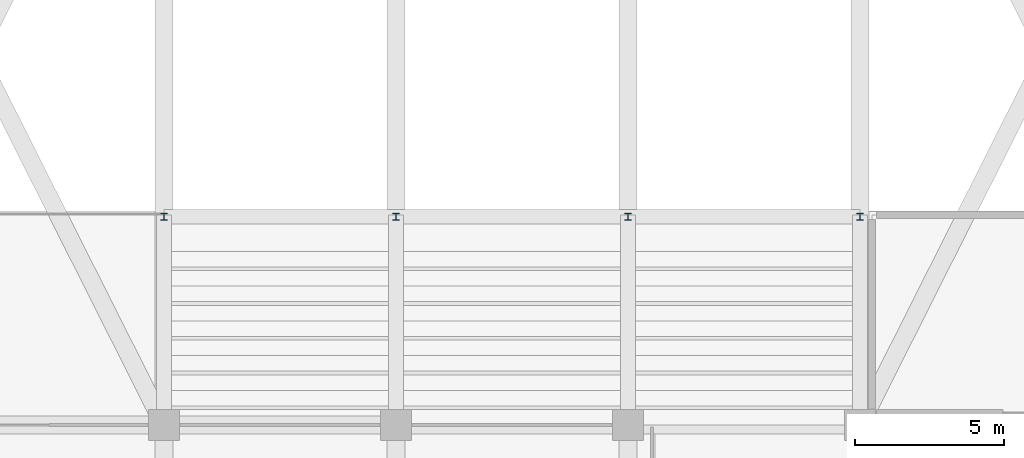
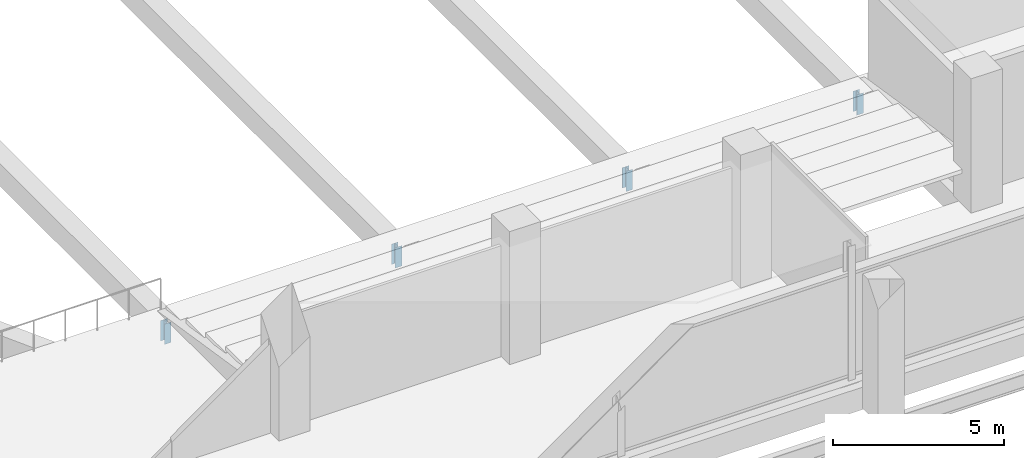
# One storey, part 58 of 100: 4 members.
"""IFC4 building model written with IfcOpenShell, lengths in metres."""

from ifc_helpers import new_model, si_unit, derived_unit, direction, frame, origin, origin_2d, place, context, subcontext, project, spatial, i_section, extrude, material, material_profile, profile_set, type_object, element, save


model = new_model("IFC4")

# Units and contexts
model_context = context("Model", 3, precision=1e-05, world=origin(), true_north=direction((0.0, 1.0)))
body_context = subcontext(model_context, "Body", "Model", "MODEL_VIEW")
ifc_project = project(units=[si_unit("LENGTHUNIT", "METRE"), si_unit("AREAUNIT", "SQUARE_METRE"), si_unit("VOLUMEUNIT", "CUBIC_METRE"), si_unit("PLANEANGLEUNIT", "RADIAN"), si_unit("MASSUNIT", "GRAM", prefix="KILO"), derived_unit("THERMALTRANSMITTANCEUNIT", [(si_unit("POWERUNIT", "WATT"), 1), (si_unit("LENGTHUNIT", "METRE"), -2), (si_unit("THERMODYNAMICTEMPERATUREUNIT", "KELVIN"), -1)])], contexts=[model_context])

# Site, building, storey
site_placement = place(None, origin())
site = spatial("IfcSite", under=ifc_project, at=site_placement, CompositionType="ELEMENT")
building_placement = place(site_placement, origin())
building = spatial("IfcBuilding", under=site, at=building_placement, Name="Nallur Shell Playhouse", CompositionType="ELEMENT")
storey_placement = place(building_placement, frame((0.0, 0.0, 10.199951171875)))
storey = spatial("IfcBuildingStorey", under=building, at=storey_placement, Name="L03", CompositionType="ELEMENT", Elevation=10.199951171875)

# Members
ifc_material = material(Name="Steel E350", Category="steel")
ifc_material_profile = material_profile(ifc_material, i_section(OverallWidth=0.22509765625, OverallDepth=0.22509765625, WebThickness=0.008544921875, FlangeThickness=0.009033203125, FilletRadius=0.010009765625, at=origin_2d()), Name="ISHB 225")
ifc_profile_set = profile_set([ifc_material_profile], Name="Steel E350")
member_type = type_object("IfcMemberType", Name="MB-TR-POST", PredefinedType="POST", material=ifc_profile_set)
for number, where, z_axis, x_axis, name in (
    (1, (79.60009765625, 23.0, -1.139892578125), (0.0, 0.0, 1.0), (1.0, 0.0, 0.0), "Auditorium raker front post DRESS 1"),
    (2, (87.39990234375, 23.0, -1.139892578125), (0.0, 0.0, 1.0), (1.0, 0.0, 0.0), "Auditorium raker front post DRESS 2"),
    (3, (95.199951171875, 23.0, -1.139892578125), (0.0, 0.0, 1.0), (1.0, 0.0, 0.0), "Auditorium raker front post DRESS 3"),
    (4, (103.0, 23.0, -1.139892578125), (0.0, 0.0, 1.0), (1.0, 0.0, 0.0), "Auditorium raker front post DRESS 4"),
):
    element("IfcMember", number, at=place(storey_placement, frame(where, z_axis=z_axis, x_axis=x_axis)), inside=storey, type_object=member_type, Name=name, PredefinedType="POST", context=body_context, shape_type="SweptSolid", body=[
        extrude(i_section(OverallWidth=0.22509765625, OverallDepth=0.22509765625, WebThickness=0.008544921875, FlangeThickness=0.009033203125, FilletRadius=0.010009765625, at=origin_2d()), origin(), (0.0, 0.0, 1.0), 0.724853515625),
    ])

save(model, "model.ifc")
